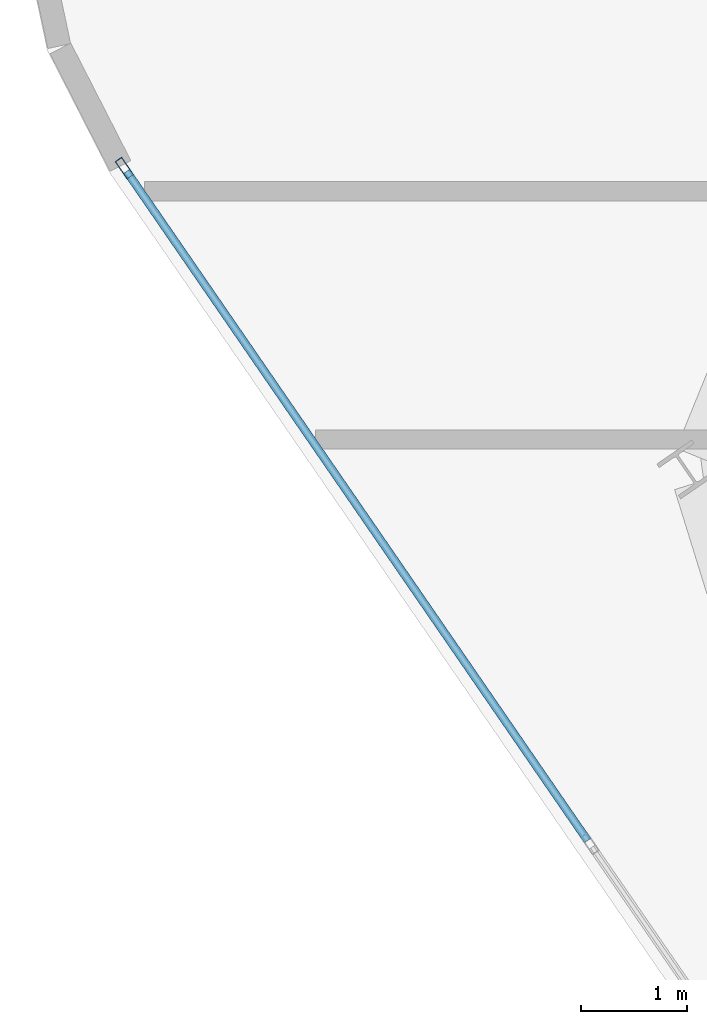
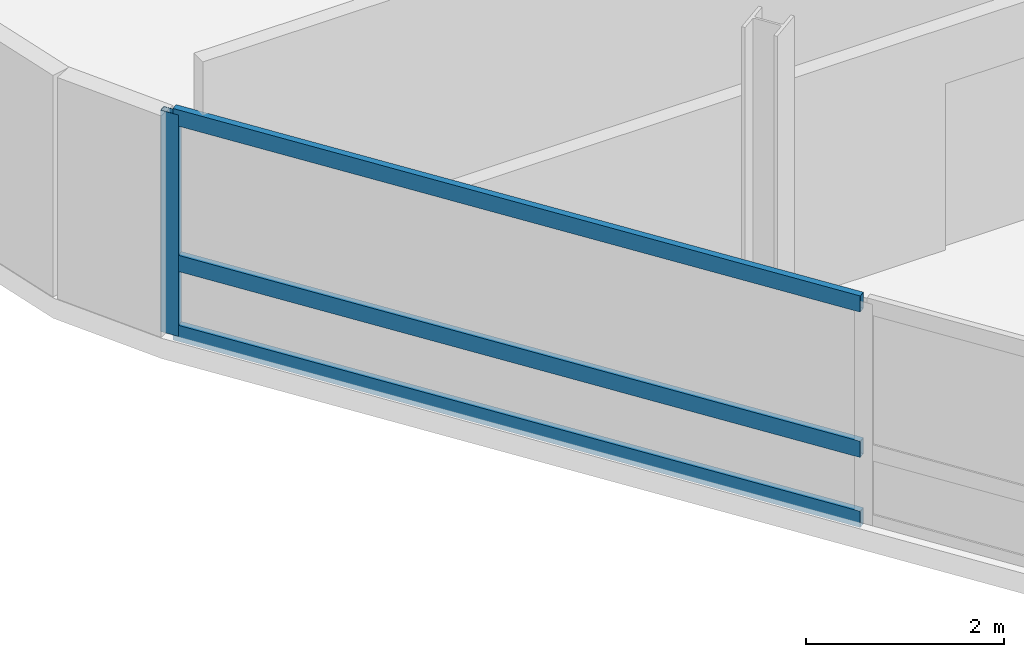
# One storey, part 6 of 22: 4 members, 1 element without a shape of its own.
"""IFC4 building model written with IfcOpenShell, lengths in metres."""

from ifc_helpers import new_model, si_unit, direction, frame, origin, origin_2d, place, context, subcontext, project, spatial, hollow_rectangle, extrude, material, layer, layer_set, material_profile, profile_set, type_object, element, aggregate, save


model = new_model("IFC4")

# Units and contexts
model_context = context("Model", 3, precision=1e-05, world=origin(), true_north=direction((0.0, 1.0)))
body_context = subcontext(model_context, "Body", "Model", "MODEL_VIEW")
ifc_project = project(units=[si_unit("LENGTHUNIT", "METRE"), si_unit("AREAUNIT", "SQUARE_METRE"), si_unit("VOLUMEUNIT", "CUBIC_METRE"), si_unit("PLANEANGLEUNIT", "RADIAN"), si_unit("MASSUNIT", "GRAM", prefix="KILO")], contexts=[model_context])

# Site, building, storey
site_placement = place(None, origin())
site = spatial("IfcSite", under=ifc_project, at=site_placement, CompositionType="ELEMENT")
building_placement = place(site_placement, origin())
building = spatial("IfcBuilding", under=site, at=building_placement, Name="Varnelok Gate Tower", CompositionType="ELEMENT")
storey_placement = place(building_placement, frame((0.0, 0.0, 280.39990234375)))
storey = spatial("IfcBuildingStorey", under=building, at=storey_placement, Name="L72", CompositionType="ELEMENT", Elevation=280.39990234375)

# Curtain wall, members
ifc_material = material(Name="Anodized Aluminum Alloy 6063-T6", Category="aluminium")
ifc_layer = layer(ifc_material, 0.179931640625)
ifc_layer_set = layer_set([ifc_layer], Name="Anodized Aluminum Alloy 6063-T6")
curtain_wall_type = type_object("IfcCurtainWallType", Name="CW4-RESIDENCE-VISION", PredefinedType="USERDEFINED", material=ifc_layer_set)
curtain_wall_placement = place(storey_placement, origin())
curtain_wall = element("IfcCurtainWall", 1, at=curtain_wall_placement, inside=storey, type_object=curtain_wall_type, Name="L72 West End Vision Curtain Wall", ObjectType="UNITISED CURTAIN WALL", PredefinedType="USERDEFINED")
ifc_material_profile_1 = material_profile(ifc_material, hollow_rectangle(XDim=0.074951171875, YDim=0.199951171875, WallThickness=0.00390625, at=origin_2d()), Name="ALU200X75X4")
ifc_profile_set_1 = profile_set([ifc_material_profile_1], Name="Anodized Aluminum Alloy 6063-T6")
member_type_1 = type_object("IfcMemberType", Name="CW-MULL-200", PredefinedType="MULLION", material=ifc_profile_set_1)
member_1_placement = place(storey_placement, frame((3.228271484375, 19.4189453125, 0.0), z_axis=(0.0, 0.0, 1.0), x_axis=(-0.823532290241, -0.567269395376, 0.0)))
member_1 = element("IfcMember", 2, at=member_1_placement, type_object=member_type_1, Name="CW4 mullion 5", PredefinedType="MULLION", context=body_context, shape_type="SweptSolid", body=[
    extrude(hollow_rectangle(XDim=0.074951171875, YDim=0.199951171875, WallThickness=0.00390625, at=origin_2d()), origin(), (0.0, 0.0, 1.0), 2.72998046875),
])
ifc_material_profile_2 = material_profile(ifc_material, hollow_rectangle(XDim=0.074951171875, YDim=0.199951171875, WallThickness=0.00390625, at=origin_2d()), Name="ALU200X75X4")
ifc_profile_set_2 = profile_set([ifc_material_profile_2], Name="Anodized Aluminum Alloy 6063-T6")
member_type_2 = type_object("IfcMemberType", Name="CW-TRAN-200", PredefinedType="USERDEFINED", material=ifc_profile_set_2)
member_2_placement = place(storey_placement, frame((7.6103515625, 13.05712890625, 0.03759765625), z_axis=(-0.567256418128, 0.82354122914, 0.0), x_axis=(-0.82354122914, -0.567256418128, 0.0)))
member_2 = element("IfcMember", 3, at=member_2_placement, type_object=member_type_2, Name="CW4 transom 4.1", ObjectType="TRANSOM", PredefinedType="USERDEFINED", context=body_context, shape_type="SweptSolid", body=[
    extrude(hollow_rectangle(XDim=0.074951171875, YDim=0.199951171875, WallThickness=0.00390625, at=origin_2d()), origin(), (0.0, 0.0, 1.0), 7.6875),
])
member_3_placement = place(storey_placement, frame((7.6103515625, 13.05712890625, 0.900146484375), z_axis=(-0.567256418128, 0.82354122914, 0.0), x_axis=(-0.82354122914, -0.567256418128, 0.0)))
member_3 = element("IfcMember", 4, at=member_3_placement, type_object=member_type_2, Name="CW4 transom 4.2", ObjectType="TRANSOM", PredefinedType="USERDEFINED", context=body_context, shape_type="SweptSolid", body=[
    extrude(hollow_rectangle(XDim=0.074951171875, YDim=0.199951171875, WallThickness=0.00390625, at=origin_2d()), origin(), (0.0, 0.0, 1.0), 7.6875),
])
member_4_placement = place(storey_placement, frame((7.6103515625, 13.05712890625, 2.692626953125), z_axis=(-0.567256418128, 0.82354122914, 0.0), x_axis=(-0.82354122914, -0.567256418128, 0.0)))
member_4 = element("IfcMember", 5, at=member_4_placement, type_object=member_type_2, Name="CW4 transom 4.3", ObjectType="TRANSOM", PredefinedType="USERDEFINED", context=body_context, shape_type="SweptSolid", body=[
    extrude(hollow_rectangle(XDim=0.074951171875, YDim=0.199951171875, WallThickness=0.00390625, at=origin_2d()), origin(), (0.0, 0.0, 1.0), 7.6875),
])
aggregate(curtain_wall, [member_1, member_2, member_3, member_4])

save(model, "model.ifc")
